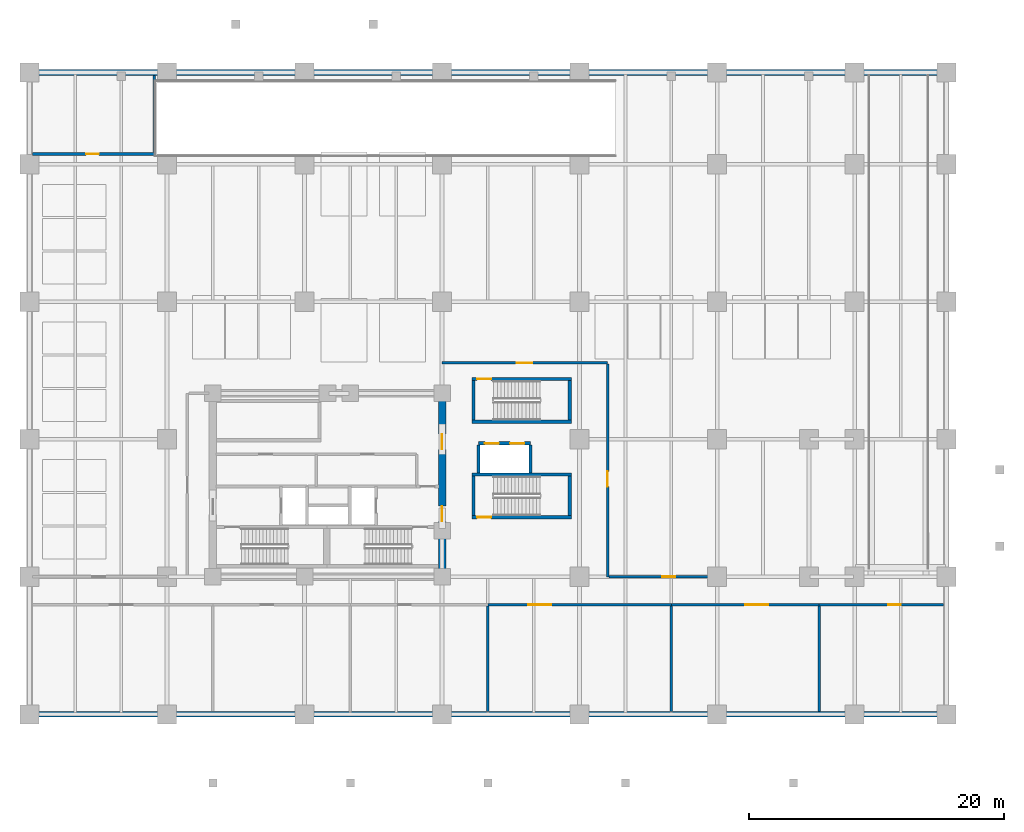
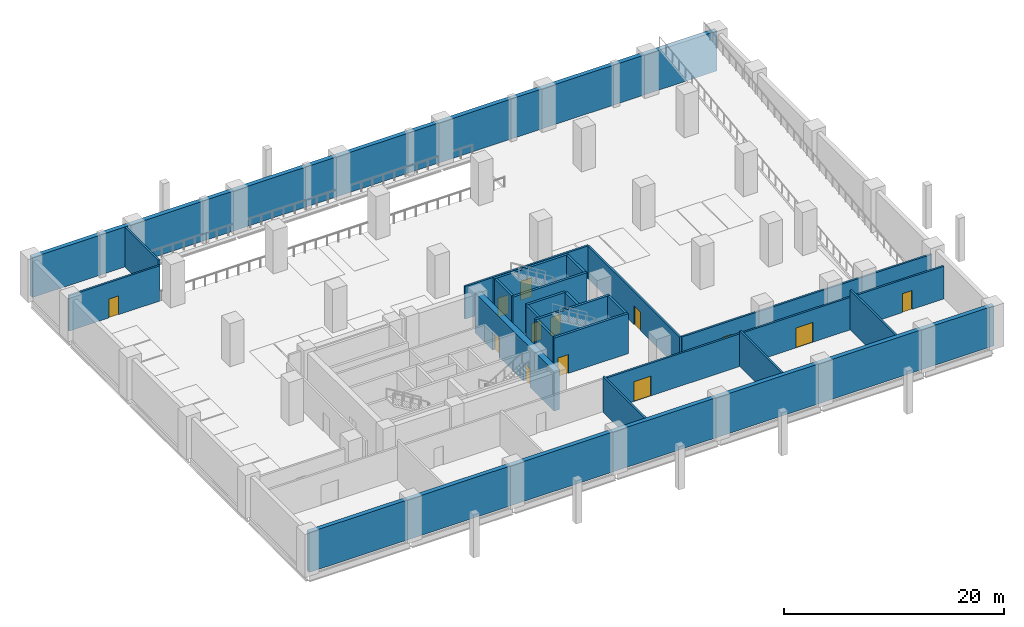
# One storey, part 4 of 8: 25 walls, 13 doors, 13 openings.
"""IFC4 building model written with IfcOpenShell, lengths in metres."""

from ifc_helpers import new_model, si_unit, direction, frame, frame_2d, origin, place, context, subcontext, project, spatial, rectangle, extrude, material, layer, layer_set, type_object, element, fill, save


model = new_model("IFC4")

# Units and contexts
model_context = context("Model", 3, precision=1e-05, world=origin(), true_north=direction((0.0, 1.0)))
body_context = subcontext(model_context, "Body", "Model", "MODEL_VIEW")
ifc_project = project(units=[si_unit("LENGTHUNIT", "METRE"), si_unit("AREAUNIT", "SQUARE_METRE"), si_unit("VOLUMEUNIT", "CUBIC_METRE"), si_unit("PLANEANGLEUNIT", "RADIAN"), si_unit("MASSUNIT", "GRAM", prefix="KILO")], contexts=[model_context])

# Site, building, storey
site_placement = place(None, origin())
site = spatial("IfcSite", under=ifc_project, at=site_placement, CompositionType="ELEMENT")
building_placement = place(site_placement, origin())
building = spatial("IfcBuilding", under=site, at=building_placement, Name="Solnavia Interchange Tower", CompositionType="ELEMENT")
storey_placement = place(building_placement, frame((0.0, 0.0, -4.800048828125)))
storey = spatial("IfcBuildingStorey", under=building, at=storey_placement, Name="B01", CompositionType="ELEMENT", Elevation=-4.800048828125)

# Wall
ifc_material_1 = material(Name="Concrete C40/50", Category="concrete")
ifc_layer_1 = layer(ifc_material_1, 0.199951171875)
ifc_layer_set_1 = layer_set([ifc_layer_1], Name="Concrete C40/50")
wall_type_1 = type_object("IfcWallType", Name="Wall-PlantFire-200", PredefinedType="PARTITIONING", material=ifc_layer_set_1)
wall_1_placement = place(storey_placement, frame((36.0, 0.22900390625, 0.0), z_axis=(0.0, 0.0, 1.0), x_axis=(0.0, 1.0, 0.0)))
element("IfcWall", 1, at=wall_1_placement, inside=storey, type_object=wall_type_1, Name="PTW-B01-06 Interior partition wall", PredefinedType="PARTITIONING", context=body_context, shape_type="SweptSolid", body=[
    extrude(rectangle(XDim=8.26708984375, YDim=0.199951171875, at=frame_2d((4.133544921875, 0.0))), origin(), (0.0, 0.0, 1.0), 3.929931640625),
])

# Wall, opening, door
wall_2_placement = place(storey_placement, frame((36.0, 8.60009765625, 0.0), z_axis=(0.0, 0.0, 1.0), x_axis=(1.0, 0.0, 0.0)))
wall_2 = element("IfcWall", 2, at=wall_2_placement, inside=storey, type_object=wall_type_1, Name="PTW-B01-07 Interior partition wall", PredefinedType="PARTITIONING", context=body_context, shape_type="SweptSolid", body=[
    extrude(rectangle(XDim=14.39990234375, YDim=0.199951171875, at=frame_2d((7.199951171875, 0.0))), origin(), (0.0, 0.0, 1.0), 3.630126953125),
])
opening_1_placement = place(wall_2_placement, frame((3.179931640625, 0.0, 0.0)))
opening_1 = element("IfcOpeningElement", 3, at=opening_1_placement, cuts=wall_2, Name="Opening DR-05", PredefinedType="OPENING", context=body_context, shape_type="SweptSolid", body=[
    extrude(rectangle(XDim=1.800048828125, YDim=2.199951171875, at=frame_2d((0.89990234375, 1.10009765625))), frame((0.0, 0.10986328125, 0.0), z_axis=(0.0, -1.0, 0.0), x_axis=(1.0, 0.0, 0.0)), (0.0, 0.0, 1.0), 0.219970703125),
])
ifc_material_2 = material(Name="Steel Double Fire Door", Category="steel")
door_type_1 = type_object("IfcDoorType", Name="Door-PlantDouble-1800x2200", OperationType="DOUBLE_DOOR_SINGLE_SWING", PredefinedType="DOOR", material=ifc_material_2)
door_1_placement = place(opening_1_placement, origin())
door_1 = element("IfcDoor", 4, at=door_1_placement, inside=storey, type_object=door_type_1, Name="DR-B01-04 Interior room door", OperationType="DOUBLE_DOOR_SINGLE_SWING", OverallHeight=2.199951171875, OverallWidth=1.800048828125, PredefinedType="DOOR", context=body_context, shape_type="SweptSolid", body=[
    extrude(rectangle(XDim=1.800048828125, YDim=2.199951171875, at=frame_2d((0.89990234375, 1.10009765625))), frame((0.0, 0.02490234375, 0.0), z_axis=(0.0, -1.0, 0.0), x_axis=(1.0, 0.0, 0.0)), (0.0, 0.0, 1.0), 0.050048828125),
])
fill(opening_1, door_1)

# Wall
wall_3_placement = place(storey_placement, frame((50.39990234375, 0.22900390625, 0.0), z_axis=(0.0, 0.0, 1.0), x_axis=(0.0, 1.0, 0.0)))
element("IfcWall", 5, at=wall_3_placement, inside=storey, type_object=wall_type_1, Name="PTW-B01-08 Interior partition wall", PredefinedType="PARTITIONING", context=body_context, shape_type="SweptSolid", body=[
    extrude(rectangle(XDim=8.26708984375, YDim=0.199951171875, at=frame_2d((4.133544921875, 0.0))), origin(), (0.0, 0.0, 1.0), 3.929931640625),
])

# Wall, opening, door
wall_4_placement = place(storey_placement, frame((50.39990234375, 8.60009765625, 0.0), z_axis=(0.0, 0.0, 1.0), x_axis=(1.0, 0.0, 0.0)))
wall_4 = element("IfcWall", 6, at=wall_4_placement, inside=storey, type_object=wall_type_1, Name="PTW-B01-09 Interior partition wall", PredefinedType="PARTITIONING", context=body_context, shape_type="SweptSolid", body=[
    extrude(rectangle(XDim=11.60009765625, YDim=0.199951171875, at=frame_2d((5.800048828125, 0.0))), origin(), (0.0, 0.0, 1.0), 3.630126953125),
])
opening_2_placement = place(wall_4_placement, frame((5.820068359375, 0.0, 0.0)))
opening_2 = element("IfcOpeningElement", 7, at=opening_2_placement, cuts=wall_4, Name="Opening DR-05", PredefinedType="OPENING", context=body_context, shape_type="SweptSolid", body=[
    extrude(rectangle(XDim=1.800048828125, YDim=2.199951171875, at=frame_2d((0.89990234375, 1.10009765625))), frame((0.0, 0.10986328125, 0.0), z_axis=(0.0, -1.0, 0.0), x_axis=(1.0, 0.0, 0.0)), (0.0, 0.0, 1.0), 0.219970703125),
])
door_2_placement = place(opening_2_placement, origin())
door_2 = element("IfcDoor", 8, at=door_2_placement, inside=storey, type_object=door_type_1, Name="DR-B01-05 Interior room door", OperationType="DOUBLE_DOOR_SINGLE_SWING", OverallHeight=2.199951171875, OverallWidth=1.800048828125, PredefinedType="DOOR", context=body_context, shape_type="SweptSolid", body=[
    extrude(rectangle(XDim=1.800048828125, YDim=2.199951171875, at=frame_2d((0.89990234375, 1.10009765625))), frame((0.0, 0.02490234375, 0.0), z_axis=(0.0, -1.0, 0.0), x_axis=(1.0, 0.0, 0.0)), (0.0, 0.0, 1.0), 0.050048828125),
])
fill(opening_2, door_2)

# Wall
wall_5_placement = place(storey_placement, frame((62.0, 0.22900390625, 0.0), z_axis=(0.0, 0.0, 1.0), x_axis=(0.0, 1.0, 0.0)))
element("IfcWall", 9, at=wall_5_placement, inside=storey, type_object=wall_type_1, Name="PTW-B01-10 Interior partition wall", PredefinedType="PARTITIONING", context=body_context, shape_type="SweptSolid", body=[
    extrude(rectangle(XDim=8.26708984375, YDim=0.199951171875, at=frame_2d((4.133544921875, 0.0))), origin(), (0.0, 0.0, 1.0), 4.43505859375),
])

# Wall, opening, door
wall_6_placement = place(storey_placement, frame((62.0, 8.60009765625, 0.0), z_axis=(0.0, 0.0, 1.0), x_axis=(1.0, 0.0, 0.0)))
wall_6 = element("IfcWall", 10, at=wall_6_placement, inside=storey, type_object=wall_type_1, Name="PTW-B01-11 Interior partition wall", PredefinedType="PARTITIONING", context=body_context, shape_type="SweptSolid", body=[
    extrude(rectangle(XDim=9.77099609375, YDim=0.199951171875, at=frame_2d((4.885498046875, 0.0))), origin(), (0.0, 0.0, 1.0), 3.630126953125),
])
opening_3_placement = place(wall_6_placement, frame((5.419921875, 0.0, 0.0)))
opening_3 = element("IfcOpeningElement", 11, at=opening_3_placement, cuts=wall_6, Name="Opening DR-04", PredefinedType="OPENING", context=body_context, shape_type="SweptSolid", body=[
    extrude(rectangle(XDim=1.0, YDim=2.10009765625, at=frame_2d((0.5, 1.050048828125))), frame((0.0, 0.10986328125, 0.0), z_axis=(0.0, -1.0, 0.0), x_axis=(1.0, 0.0, 0.0)), (0.0, 0.0, 1.0), 0.219970703125),
])
ifc_material_3 = material(Name="Steel Fire-Rated Plant Door", Category="steel")
door_type_2 = type_object("IfcDoorType", Name="Door-PlantFire-1000x2100", OperationType="SINGLE_SWING_LEFT", PredefinedType="DOOR", material=ifc_material_3)
door_3_placement = place(opening_3_placement, origin())
door_3 = element("IfcDoor", 12, at=door_3_placement, inside=storey, type_object=door_type_2, Name="DR-B01-06 Interior room door", OperationType="SINGLE_SWING_RIGHT", OverallHeight=2.10009765625, OverallWidth=1.0, PredefinedType="DOOR", context=body_context, shape_type="SweptSolid", body=[
    extrude(rectangle(XDim=1.0, YDim=2.10009765625, at=frame_2d((0.5, 1.050048828125))), frame((0.0, 0.02490234375, 0.0), z_axis=(0.0, -1.0, 0.0), x_axis=(1.0, 0.0, 0.0)), (0.0, 0.0, 1.0), 0.050048828125),
])
fill(opening_3, door_3)

wall_7_placement = place(storey_placement, frame((32.39990234375, 27.60009765625, 0.0), z_axis=(0.0, 0.0, 1.0), x_axis=(1.0, 0.0, 0.0)))
wall_7 = element("IfcWall", 13, at=wall_7_placement, inside=storey, type_object=wall_type_1, Name="PTW-B01-15 Interior partition wall", PredefinedType="PARTITIONING", context=body_context, shape_type="SweptSolid", body=[
    extrude(rectangle(XDim=13.0, YDim=0.199951171875, at=frame_2d((6.5, 0.0))), origin(), (0.0, 0.0, 1.0), 3.630126953125),
])
opening_4_placement = place(wall_7_placement, frame((5.860107421875, 0.0, 0.0)))
opening_4 = element("IfcOpeningElement", 14, at=opening_4_placement, cuts=wall_7, Name="Opening DR-02", PredefinedType="OPENING", context=body_context, shape_type="SweptSolid", body=[
    extrude(rectangle(XDim=1.199951171875, YDim=2.10009765625, at=frame_2d((0.60009765625, 1.050048828125))), frame((0.0, 0.10986328125, 0.0), z_axis=(0.0, -1.0, 0.0), x_axis=(1.0, 0.0, 0.0)), (0.0, 0.0, 1.0), 0.219970703125),
])
ifc_material_4 = material(Name="Steel Fire-Rated Vision-Panel Door", Category="steel")
door_type_3 = type_object("IfcDoorType", Name="Door-LobbyFire-1200x2100", OperationType="SINGLE_SWING_RIGHT", PredefinedType="DOOR", material=ifc_material_4)
door_4_placement = place(opening_4_placement, origin())
door_4 = element("IfcDoor", 15, at=door_4_placement, inside=storey, type_object=door_type_3, Name="DR-B01-09 Interior room door", OperationType="SINGLE_SWING_LEFT", OverallHeight=2.10009765625, OverallWidth=1.199951171875, PredefinedType="DOOR", context=body_context, shape_type="SweptSolid", body=[
    extrude(rectangle(XDim=1.199951171875, YDim=2.10009765625, at=frame_2d((0.60009765625, 1.050048828125))), frame((0.0, 0.02490234375, 0.0), z_axis=(0.0, -1.0, 0.0), x_axis=(1.0, 0.0, 0.0)), (0.0, 0.0, 1.0), 0.050048828125),
])
fill(opening_4, door_4)

wall_8_placement = place(storey_placement, frame((45.39990234375, 10.800048828125, 0.0), z_axis=(0.0, 0.0, 1.0), x_axis=(0.0, 1.0, 0.0)))
wall_8 = element("IfcWall", 16, at=wall_8_placement, inside=storey, type_object=wall_type_1, Name="PTW-B01-16 Interior partition wall", PredefinedType="PARTITIONING", context=body_context, shape_type="SweptSolid", body=[
    extrude(rectangle(XDim=16.696044921875, YDim=0.199951171875, at=frame_2d((8.34814453125, 0.0))), origin(), (0.0, 0.0, 1.0), 3.630126953125),
])
opening_5_placement = place(wall_8_placement, frame((7.08203125, 0.0, 0.0)))
opening_5 = element("IfcOpeningElement", 17, at=opening_5_placement, cuts=wall_8, Name="Opening DR-02", PredefinedType="OPENING", context=body_context, shape_type="SweptSolid", body=[
    extrude(rectangle(XDim=1.199951171875, YDim=2.10009765625, at=frame_2d((0.60009765625, 1.050048828125))), frame((0.0, 0.10986328125, 0.0), z_axis=(0.0, -1.0, 0.0), x_axis=(1.0, 0.0, 0.0)), (0.0, 0.0, 1.0), 0.219970703125),
])
door_5_placement = place(opening_5_placement, origin())
door_5 = element("IfcDoor", 18, at=door_5_placement, inside=storey, type_object=door_type_3, Name="DR-B01-10 Interior room door", OperationType="SINGLE_SWING_RIGHT", OverallHeight=2.10009765625, OverallWidth=1.199951171875, PredefinedType="DOOR", context=body_context, shape_type="SweptSolid", body=[
    extrude(rectangle(XDim=1.199951171875, YDim=2.10009765625, at=frame_2d((0.60009765625, 1.050048828125))), frame((0.0, 0.02490234375, 0.0), z_axis=(0.0, -1.0, 0.0), x_axis=(1.0, 0.0, 0.0)), (0.0, 0.0, 1.0), 0.050048828125),
])
fill(opening_5, door_5)

wall_9_placement = place(storey_placement, frame((45.50390625, 10.800048828125, 0.0), z_axis=(0.0, 0.0, 1.0), x_axis=(1.0, 0.0, 0.0)))
wall_9 = element("IfcWall", 19, at=wall_9_placement, inside=storey, type_object=wall_type_1, Name="PTW-B01-17 Interior partition wall", PredefinedType="PARTITIONING", context=body_context, shape_type="SweptSolid", body=[
    extrude(rectangle(XDim=26.26708984375, YDim=0.199951171875, at=frame_2d((13.133544921875, 0.0))), origin(), (0.0, 0.0, 1.0), 3.630126953125),
])
opening_6_placement = place(wall_9_placement, frame((4.18994140625, 0.0, 0.0)))
opening_6 = element("IfcOpeningElement", 20, at=opening_6_placement, cuts=wall_9, Name="Opening DR-04", PredefinedType="OPENING", context=body_context, shape_type="SweptSolid", body=[
    extrude(rectangle(XDim=1.0, YDim=2.10009765625, at=frame_2d((0.5, 1.050048828125))), frame((0.0, 0.10986328125, 0.0), z_axis=(0.0, -1.0, 0.0), x_axis=(1.0, 0.0, 0.0)), (0.0, 0.0, 1.0), 0.219970703125),
])
door_6_placement = place(opening_6_placement, origin())
door_6 = element("IfcDoor", 21, at=door_6_placement, inside=storey, type_object=door_type_2, Name="DR-B01-11 Interior room door", OperationType="SINGLE_SWING_LEFT", OverallHeight=2.10009765625, OverallWidth=1.0, PredefinedType="DOOR", context=body_context, shape_type="SweptSolid", body=[
    extrude(rectangle(XDim=1.0, YDim=2.10009765625, at=frame_2d((0.5, 1.050048828125))), frame((0.0, 0.02490234375, 0.0), z_axis=(0.0, -1.0, 0.0), x_axis=(1.0, 0.0, 0.0)), (0.0, 0.0, 1.0), 0.050048828125),
])
fill(opening_6, door_6)

wall_10_placement = place(storey_placement, frame((0.22900390625, 44.0, 0.0), z_axis=(0.0, 0.0, 1.0), x_axis=(1.0, 0.0, 0.0)))
wall_10 = element("IfcWall", 22, at=wall_10_placement, inside=storey, type_object=wall_type_1, Name="PTW-B01-18 Interior partition wall", PredefinedType="PARTITIONING", context=body_context, shape_type="SweptSolid", body=[
    extrude(rectangle(XDim=9.571044921875, YDim=0.199951171875, at=frame_2d((4.78564453125, 0.0))), origin(), (0.0, 0.0, 1.0), 3.929931640625),
])
opening_7_placement = place(wall_10_placement, frame((4.2109375, 0.0, 0.0)))
opening_7 = element("IfcOpeningElement", 23, at=opening_7_placement, cuts=wall_10, Name="Opening DR-04", PredefinedType="OPENING", context=body_context, shape_type="SweptSolid", body=[
    extrude(rectangle(XDim=1.0, YDim=2.10009765625, at=frame_2d((0.5, 1.050048828125))), frame((0.0, 0.10986328125, 0.0), z_axis=(0.0, -1.0, 0.0), x_axis=(1.0, 0.0, 0.0)), (0.0, 0.0, 1.0), 0.219970703125),
])
door_7_placement = place(opening_7_placement, origin())
door_7 = element("IfcDoor", 24, at=door_7_placement, inside=storey, type_object=door_type_2, Name="DR-B01-12 Interior room door", OperationType="SINGLE_SWING_LEFT", OverallHeight=2.10009765625, OverallWidth=1.0, PredefinedType="DOOR", context=body_context, shape_type="SweptSolid", body=[
    extrude(rectangle(XDim=1.0, YDim=2.10009765625, at=frame_2d((0.5, 1.050048828125))), frame((0.0, 0.02490234375, 0.0), z_axis=(0.0, -1.0, 0.0), x_axis=(1.0, 0.0, 0.0)), (0.0, 0.0, 1.0), 0.050048828125),
])
fill(opening_7, door_7)

# Walls
wall_11_placement = place(storey_placement, frame((9.800048828125, 44.10400390625, 0.0), z_axis=(0.0, 0.0, 1.0), x_axis=(0.0, 1.0, 0.0)))
element("IfcWall", 25, at=wall_11_placement, inside=storey, type_object=wall_type_1, Name="PTW-B01-19 Interior partition wall", PredefinedType="PARTITIONING", context=body_context, shape_type="SweptSolid", body=[
    extrude(rectangle(XDim=6.06689453125, YDim=0.199951171875, at=frame_2d((3.033447265625, 0.0))), origin(), (0.0, 0.0, 1.0), 4.43505859375),
])
ifc_layer_2 = layer(ifc_material_1, 0.449951171875)
ifc_layer_set_2 = layer_set([ifc_layer_2], Name="Concrete C40/50")
wall_type_2 = type_object("IfcWallType", Name="Wall-Retaining-450", PredefinedType="SOLIDWALL", material=ifc_layer_set_2)
for number, where, z_axis, x_axis, name in (
    (26, (0.0, 0.0, 0.0), (0.0, 0.0, 1.0), (1.0, 0.0, 0.0), "RTW-B01-01 Basement perimeter retaining wall"),
    (27, (72.0, 50.39990234375, 0.0), (0.0, 0.0, 1.0), (-1.0, 0.0, 0.0), "RTW-B01-03 Basement perimeter retaining wall"),
):
    element("IfcWall", number, at=place(storey_placement, frame(where, z_axis=z_axis, x_axis=x_axis)), inside=storey, type_object=wall_type_2, Name=name, PredefinedType="SOLIDWALL", context=body_context, shape_type="SweptSolid", body=[
        extrude(rectangle(XDim=72.0, YDim=0.449951171875, at=frame_2d((36.0, 0.0))), origin(), (0.0, 0.0, 1.0), 4.449951171875),
    ])

# Wall, opening, door
ifc_layer_3 = layer(ifc_material_1, 0.25)
ifc_layer_set_3 = layer_set([ifc_layer_3], Name="Concrete C40/50")
wall_type_3 = type_object("IfcWallType", Name="Wall-ShaftCore-250", PredefinedType="SHEAR", material=ifc_layer_set_3)
wall_12_placement = place(storey_placement, frame((34.75, 15.47509765625, 0.0), z_axis=(0.0, 0.0, 1.0), x_axis=(1.0, 0.0, 0.0)))
wall_12 = element("IfcWall", 28, at=wall_12_placement, inside=storey, type_object=wall_type_3, Name="SHW-B01-STP1S Core shear wall", PredefinedType="SHEAR", context=body_context, shape_type="SweptSolid", body=[
    extrude(rectangle(XDim=7.800048828125, YDim=0.25, at=frame_2d((3.89990234375, 0.0))), origin(), (0.0, 0.0, 1.0), 4.449951171875),
])
opening_8_placement = place(wall_12_placement, frame((0.405029296875, 0.0, 0.0)))
opening_8 = element("IfcOpeningElement", 29, at=opening_8_placement, cuts=wall_12, Name="Opening DR-01", PredefinedType="OPENING", context=body_context, shape_type="SweptSolid", body=[
    extrude(rectangle(XDim=1.10009765625, YDim=2.10009765625, at=frame_2d((0.550048828125, 1.050048828125))), frame((0.0, 0.135009765625, 0.0), z_axis=(0.0, -1.0, 0.0), x_axis=(1.0, 0.0, 0.0)), (0.0, 0.0, 1.0), 0.27001953125),
])
ifc_material_5 = material(Name="Steel Fire-Rated Leaf & Frame", Category="steel")
door_type_4 = type_object("IfcDoorType", Name="Door-StairFire-1100x2100", OperationType="SINGLE_SWING_LEFT", PredefinedType="DOOR", material=ifc_material_5)
door_8_placement = place(opening_8_placement, origin())
door_8 = element("IfcDoor", 30, at=door_8_placement, inside=storey, type_object=door_type_4, Name="DR-B01-STP1 Core fire door", OperationType="SINGLE_SWING_LEFT", OverallHeight=2.10009765625, OverallWidth=1.10009765625, PredefinedType="DOOR", context=body_context, shape_type="SweptSolid", body=[
    extrude(rectangle(XDim=1.10009765625, YDim=2.10009765625, at=frame_2d((0.550048828125, 1.050048828125))), frame((0.0, 0.02490234375, 0.0), z_axis=(0.0, -1.0, 0.0), x_axis=(1.0, 0.0, 0.0)), (0.0, 0.0, 1.0), 0.050048828125),
])
fill(opening_8, door_8)

# Walls
wall_13_placement = place(storey_placement, frame((34.75, 18.824951171875, 0.0), z_axis=(0.0, 0.0, 1.0), x_axis=(1.0, 0.0, 0.0)))
element("IfcWall", 31, at=wall_13_placement, inside=storey, type_object=wall_type_3, Name="SHW-B01-STP1N Core shear wall", PredefinedType="SHEAR", context=body_context, shape_type="SweptSolid", body=[
    extrude(rectangle(XDim=7.800048828125, YDim=0.25, at=frame_2d((3.89990234375, 0.0))), origin(), (0.0, 0.0, 1.0), 4.449951171875),
])
for number, where, z_axis, x_axis, name in (
    (32, (34.875, 15.60009765625, 0.0), (0.0, 0.0, 1.0), (0.0, 1.0, 0.0), "SHW-B01-STP1W Core shear wall"),
    (33, (42.425048828125, 15.60009765625, 0.0), (0.0, 0.0, 1.0), (0.0, 1.0, 0.0), "SHW-B01-STP1E Core shear wall"),
):
    element("IfcWall", number, at=place(storey_placement, frame(where, z_axis=z_axis, x_axis=x_axis)), inside=storey, type_object=wall_type_3, Name=name, PredefinedType="SHEAR", context=body_context, shape_type="SweptSolid", body=[
        extrude(rectangle(XDim=3.099853515625, YDim=0.25, at=frame_2d((1.5498046875, 0.0))), origin(), (0.0, 0.0, 1.0), 4.449951171875),
    ])
wall_14_placement = place(storey_placement, frame((34.75, 22.97509765625, 0.0), z_axis=(0.0, 0.0, 1.0), x_axis=(1.0, 0.0, 0.0)))
element("IfcWall", 34, at=wall_14_placement, inside=storey, type_object=wall_type_3, Name="SHW-B01-STP2S Core shear wall", PredefinedType="SHEAR", context=body_context, shape_type="SweptSolid", body=[
    extrude(rectangle(XDim=7.800048828125, YDim=0.25, at=frame_2d((3.89990234375, 0.0))), origin(), (0.0, 0.0, 1.0), 4.449951171875),
])

# Wall, opening, door
wall_15_placement = place(storey_placement, frame((34.75, 26.324951171875, 0.0), z_axis=(0.0, 0.0, 1.0), x_axis=(1.0, 0.0, 0.0)))
wall_15 = element("IfcWall", 35, at=wall_15_placement, inside=storey, type_object=wall_type_3, Name="SHW-B01-STP2N Core shear wall", PredefinedType="SHEAR", context=body_context, shape_type="SweptSolid", body=[
    extrude(rectangle(XDim=7.800048828125, YDim=0.25, at=frame_2d((3.89990234375, 0.0))), origin(), (0.0, 0.0, 1.0), 4.449951171875),
])
opening_9_placement = place(wall_15_placement, frame((0.405029296875, 0.0, 0.0)))
opening_9 = element("IfcOpeningElement", 36, at=opening_9_placement, cuts=wall_15, Name="Opening DR-01", PredefinedType="OPENING", context=body_context, shape_type="SweptSolid", body=[
    extrude(rectangle(XDim=1.10009765625, YDim=2.10009765625, at=frame_2d((0.550048828125, 1.050048828125))), frame((0.0, 0.135009765625, 0.0), z_axis=(0.0, -1.0, 0.0), x_axis=(1.0, 0.0, 0.0)), (0.0, 0.0, 1.0), 0.27001953125),
])
door_9_placement = place(opening_9_placement, origin())
door_9 = element("IfcDoor", 37, at=door_9_placement, inside=storey, type_object=door_type_4, Name="DR-B01-STP2 Core fire door", OperationType="SINGLE_SWING_RIGHT", OverallHeight=2.10009765625, OverallWidth=1.10009765625, PredefinedType="DOOR", context=body_context, shape_type="SweptSolid", body=[
    extrude(rectangle(XDim=1.10009765625, YDim=2.10009765625, at=frame_2d((0.550048828125, 1.050048828125))), frame((0.0, 0.02490234375, 0.0), z_axis=(0.0, -1.0, 0.0), x_axis=(1.0, 0.0, 0.0)), (0.0, 0.0, 1.0), 0.050048828125),
])
fill(opening_9, door_9)

# Walls
for number, where, z_axis, x_axis, name in (
    (38, (34.875, 23.10009765625, 0.0), (0.0, 0.0, 1.0), (0.0, 1.0, 0.0), "SHW-B01-STP2W Core shear wall"),
    (39, (42.425048828125, 23.10009765625, 0.0), (0.0, 0.0, 1.0), (0.0, 1.0, 0.0), "SHW-B01-STP2E Core shear wall"),
):
    element("IfcWall", number, at=place(storey_placement, frame(where, z_axis=z_axis, x_axis=x_axis)), inside=storey, type_object=wall_type_3, Name=name, PredefinedType="SHEAR", context=body_context, shape_type="SweptSolid", body=[
        extrude(rectangle(XDim=3.099853515625, YDim=0.25, at=frame_2d((1.5498046875, 0.0))), origin(), (0.0, 0.0, 1.0), 4.449951171875),
    ])

# Wall, openings, doors
ifc_layer_4 = layer(ifc_material_1, 0.25)
ifc_layer_set_4 = layer_set([ifc_layer_4], Name="Concrete C40/50")
wall_type_4 = type_object("IfcWallType", Name="Wall-ShaftPart-250", PredefinedType="PARTITIONING", material=ifc_layer_set_4)
wall_16_placement = place(storey_placement, frame((35.25, 21.280029296875, 0.0), z_axis=(0.0, 0.0, 1.0), x_axis=(1.0, 0.0, 0.0)))
wall_16 = element("IfcWall", 40, at=wall_16_placement, inside=storey, type_object=wall_type_4, Name="SHW-B01-PLN Core shaft wall", PredefinedType="PARTITIONING", context=body_context, shape_type="SweptSolid", body=[
    extrude(rectangle(XDim=4.10009765625, YDim=0.25, at=frame_2d((2.050048828125, 0.0))), origin(), (0.0, 0.0, 1.0), 4.43505859375),
])
opening_10_placement = place(wall_16_placement, frame((0.5, 0.0, 0.0)))
opening_10 = element("IfcOpeningElement", 41, at=opening_10_placement, cuts=wall_16, Name="Opening LD-01", PredefinedType="OPENING", context=body_context, shape_type="SweptSolid", body=[
    extrude(rectangle(XDim=1.10009765625, YDim=2.10009765625, at=frame_2d((0.550048828125, 1.050048828125))), frame((0.0, 0.135009765625, 0.0), z_axis=(0.0, -1.0, 0.0), x_axis=(1.0, 0.0, 0.0)), (0.0, 0.0, 1.0), 0.27001953125),
])
opening_11_placement = place(wall_16_placement, frame((2.5, 0.0, 0.0)))
opening_11 = element("IfcOpeningElement", 42, at=opening_11_placement, cuts=wall_16, Name="Opening LD-01", PredefinedType="OPENING", context=body_context, shape_type="SweptSolid", body=[
    extrude(rectangle(XDim=1.10009765625, YDim=2.10009765625, at=frame_2d((0.550048828125, 1.050048828125))), frame((0.0, 0.135009765625, 0.0), z_axis=(0.0, -1.0, 0.0), x_axis=(1.0, 0.0, 0.0)), (0.0, 0.0, 1.0), 0.27001953125),
])
ifc_material_6 = material(Name="Brushed Stainless Steel Sliding Door", Category="steel")
door_type_5 = type_object("IfcDoorType", Name="Door-LiftLanding-1100x2100", OperationType="SLIDING_TO_LEFT", PredefinedType="DOOR", material=ifc_material_6)
door_10_placement = place(opening_10_placement, origin())
door_10 = element("IfcDoor", 43, at=door_10_placement, inside=storey, type_object=door_type_5, Name="LD-B01-PL-1 Lift landing sliding door", OperationType="SLIDING_TO_LEFT", OverallHeight=2.10009765625, OverallWidth=1.10009765625, PredefinedType="DOOR", context=body_context, shape_type="SweptSolid", body=[
    extrude(rectangle(XDim=1.10009765625, YDim=2.10009765625, at=frame_2d((0.550048828125, 1.050048828125))), frame((0.0, 0.02490234375, 0.0), z_axis=(0.0, -1.0, 0.0), x_axis=(1.0, 0.0, 0.0)), (0.0, 0.0, 1.0), 0.050048828125),
])
fill(opening_10, door_10)
door_11_placement = place(opening_11_placement, origin())
door_11 = element("IfcDoor", 44, at=door_11_placement, inside=storey, type_object=door_type_5, Name="LD-B01-PL-2 Lift landing sliding door", OperationType="SLIDING_TO_LEFT", OverallHeight=2.10009765625, OverallWidth=1.10009765625, PredefinedType="DOOR", context=body_context, shape_type="SweptSolid", body=[
    extrude(rectangle(XDim=1.10009765625, YDim=2.10009765625, at=frame_2d((0.550048828125, 1.050048828125))), frame((0.0, 0.02490234375, 0.0), z_axis=(0.0, -1.0, 0.0), x_axis=(1.0, 0.0, 0.0)), (0.0, 0.0, 1.0), 0.050048828125),
])
fill(opening_11, door_11)

# Walls
for number, where, z_axis, x_axis, name in (
    (45, (35.25, 18.949951171875, 0.0), (0.0, 0.0, 1.0), (0.0, 1.0, 0.0), "SHW-B01-PLW Core shaft wall"),
    (46, (39.35009765625, 18.949951171875, 0.0), (0.0, 0.0, 1.0), (0.0, 1.0, 0.0), "SHW-B01-PLE Core shaft wall"),
):
    element("IfcWall", number, at=place(storey_placement, frame(where, z_axis=z_axis, x_axis=x_axis)), inside=storey, type_object=wall_type_4, Name=name, PredefinedType="PARTITIONING", context=body_context, shape_type="SweptSolid", body=[
        extrude(rectangle(XDim=2.205078125, YDim=0.25, at=frame_2d((1.1025390625, 0.0))), origin(), (0.0, 0.0, 1.0), 4.43505859375),
    ])

# Wall, openings, doors
ifc_material_7 = material(Name="Concrete C60/75", Category="concrete")
ifc_layer_5 = layer(ifc_material_7, 0.60009765625)
ifc_layer_set_5 = layer_set([ifc_layer_5], Name="Concrete C60/75")
wall_type_5 = type_object("IfcWallType", Name="Wall-ShearCore-600", PredefinedType="SHEAR", material=ifc_layer_set_5)
wall_17_placement = place(storey_placement, frame((32.39990234375, 10.800048828125, 0.0), z_axis=(0.0, 0.0, 1.0), x_axis=(0.0, 1.0, 0.0)))
wall_17 = element("IfcWall", 47, at=wall_17_placement, inside=storey, type_object=wall_type_5, Name="CRW-B01-E Core shear wall", PredefinedType="SHEAR", context=body_context, shape_type="SweptSolid", body=[
    extrude(rectangle(XDim=14.39990234375, YDim=0.60009765625, at=frame_2d((7.199951171875, 0.0))), origin(), (0.0, 0.0, 1.0), 4.449951171875),
])
opening_12_placement = place(wall_17_placement, frame((4.35009765625, 0.0, 0.0)))
opening_12 = element("IfcOpeningElement", 48, at=opening_12_placement, cuts=wall_17, Name="Opening DR-02", PredefinedType="OPENING", context=body_context, shape_type="SweptSolid", body=[
    extrude(rectangle(XDim=1.199951171875, YDim=2.10009765625, at=frame_2d((0.60009765625, 1.050048828125))), frame((0.0, 0.31005859375, 0.0), z_axis=(0.0, -1.0, 0.0), x_axis=(1.0, 0.0, 0.0)), (0.0, 0.0, 1.0), 0.6201171875),
])
opening_13_placement = place(wall_17_placement, frame((10.0, 0.0, 0.0)))
opening_13 = element("IfcOpeningElement", 49, at=opening_13_placement, cuts=wall_17, Name="Opening DR-02", PredefinedType="OPENING", context=body_context, shape_type="SweptSolid", body=[
    extrude(rectangle(XDim=1.199951171875, YDim=2.10009765625, at=frame_2d((0.60009765625, 1.050048828125))), frame((0.0, 0.31005859375, 0.0), z_axis=(0.0, -1.0, 0.0), x_axis=(1.0, 0.0, 0.0)), (0.0, 0.0, 1.0), 0.6201171875),
])
door_12_placement = place(opening_12_placement, origin())
door_12 = element("IfcDoor", 50, at=door_12_placement, inside=storey, type_object=door_type_3, Name="DR-B01-FFL2E Core fire door", OperationType="SINGLE_SWING_LEFT", OverallHeight=2.10009765625, OverallWidth=1.199951171875, PredefinedType="DOOR", context=body_context, shape_type="SweptSolid", body=[
    extrude(rectangle(XDim=1.199951171875, YDim=2.10009765625, at=frame_2d((0.60009765625, 1.050048828125))), frame((0.0, 0.02490234375, 0.0), z_axis=(0.0, -1.0, 0.0), x_axis=(1.0, 0.0, 0.0)), (0.0, 0.0, 1.0), 0.050048828125),
])
fill(opening_12, door_12)
door_13_placement = place(opening_13_placement, origin())
door_13 = element("IfcDoor", 51, at=door_13_placement, inside=storey, type_object=door_type_3, Name="DR-B01-LLE Core fire door", OperationType="SINGLE_SWING_RIGHT", OverallHeight=2.10009765625, OverallWidth=1.199951171875, PredefinedType="DOOR", context=body_context, shape_type="SweptSolid", body=[
    extrude(rectangle(XDim=1.199951171875, YDim=2.10009765625, at=frame_2d((0.60009765625, 1.050048828125))), frame((0.0, 0.02490234375, 0.0), z_axis=(0.0, -1.0, 0.0), x_axis=(1.0, 0.0, 0.0)), (0.0, 0.0, 1.0), 0.050048828125),
])
fill(opening_13, door_13)

save(model, "model.ifc")
